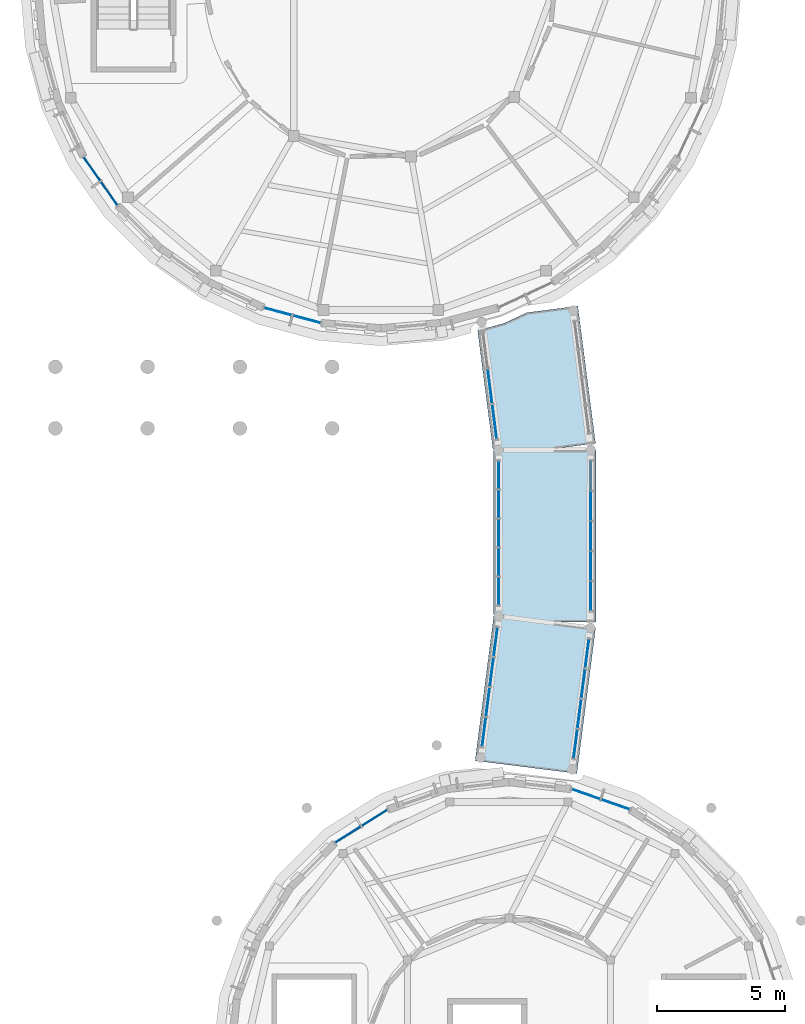
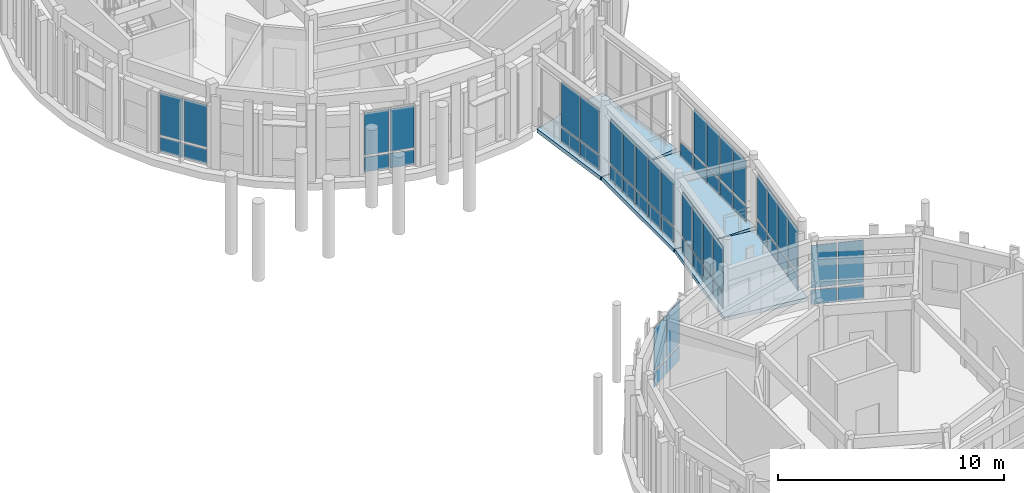
# One storey, part 36 of 80: 55 plates, 3 slabs, 9 elements without a shape of their own.
"""IFC4 building model written with IfcOpenShell, lengths in metres."""

import ifcopenshell
import ifcopenshell.guid

model = None  # the IFC model being written
_history = None  # IfcOwnerHistory: only IFC2X3 demands one
_inside = {}  # id of a spatial element -> (the spatial element, [elements in it])
_under = {}  # id of a project, library or spatial element -> (it, [spatial elements below it])
_declared = {}  # id of a project -> (the project, [libraries it declares])
_typed = {}  # id of a type object -> (the type object, [elements of that type])
_made_of = {}  # id of a material, layer set ... -> (it, [elements and type objects made of it])


def new_model(schema):
    """Start an empty IFC model of exactly this schema.

    Asked for "IFC4X3", IfcOpenShell would pick the latest addendum, in which some entities
    have other attributes; the version numbers below select the first issue.
    IFC2X3 requires an IfcOwnerHistory on every rooted entity: one is made here for all.
    """
    global model, _history
    if schema == "IFC4X3":
        model = ifcopenshell.file(schema_version=(4, 3, 0, 0))
    else:
        model = ifcopenshell.file(schema=schema)
    _inside.clear()
    _under.clear()
    _declared.clear()
    _typed.clear()
    _made_of.clear()
    _history = None
    if model.schema == "IFC2X3":
        org = make("IfcOrganization", Name="unknown")
        user = make(
            "IfcPersonAndOrganization",
            ThePerson=make("IfcPerson", FamilyName="unknown"),
            TheOrganization=org,
        )
        app = make(
            "IfcApplication",
            ApplicationDeveloper=org,
            Version="unknown",
            ApplicationFullName="unknown",
            ApplicationIdentifier="unknown",
        )
        _history = make(
            "IfcOwnerHistory",
            OwningUser=user,
            OwningApplication=app,
            ChangeAction="ADDED",
            CreationDate=0,
        )
    return model


def make(cls, **values):
    """One entity of the class cls with the attributes given. An attribute that is None is left unset."""
    return model.create_entity(
        cls, **{name: value for name, value in values.items() if value is not None}
    )


def rooted(cls, **values):
    """An entity with a GlobalId (a new one), such as an element, a storey or a relation."""
    return make(cls, GlobalId=ifcopenshell.guid.new(), OwnerHistory=_history, **values)


def si_unit(unit_type, name, prefix=None):
    """IfcSIUnit, for example si_unit("LENGTHUNIT", "METRE", prefix="MILLI")."""
    return make("IfcSIUnit", UnitType=unit_type, Prefix=prefix, Name=name)


def assignment(units):
    """IfcUnitAssignment: the units of a project."""
    return None if units is None else make("IfcUnitAssignment", Units=units)


def point(xyz):
    """IfcCartesianPoint."""
    return None if xyz is None else make("IfcCartesianPoint", Coordinates=xyz)


def direction(xyz):
    """IfcDirection."""
    return None if xyz is None else make("IfcDirection", DirectionRatios=xyz)


def frame(location, z_axis=None, x_axis=None):
    """IfcAxis2Placement3D, a coordinate frame: its origin and axes. An axis left out is left unset."""
    return make(
        "IfcAxis2Placement3D",
        Location=point(location),
        Axis=direction(z_axis),
        RefDirection=direction(x_axis),
    )


def frame_2d(location, x_axis=None):
    """IfcAxis2Placement2D, a coordinate frame in the plane: its origin and x axis."""
    return make(
        "IfcAxis2Placement2D", Location=point(location), RefDirection=direction(x_axis)
    )


def origin():
    """The frame at (0, 0, 0) with its axes left unset."""
    return frame((0.0, 0.0, 0.0))


def origin_2d():
    """The frame at (0, 0) in the plane with its x axis left unset."""
    return frame_2d((0.0, 0.0))


def place(relative_to, where):
    """IfcLocalPlacement: puts the frame where relative to a parent placement (None: the world)."""
    return make(
        "IfcLocalPlacement", PlacementRelTo=relative_to, RelativePlacement=where
    )


def context(
    kind, dimensions, precision=None, world=None, true_north=None, identifier=None
):
    """IfcGeometricRepresentationContext, for example the 3D "Model" context."""
    return make(
        "IfcGeometricRepresentationContext",
        ContextIdentifier=identifier,
        ContextType=kind,
        CoordinateSpaceDimension=dimensions,
        Precision=precision,
        WorldCoordinateSystem=world,
        TrueNorth=true_north,
    )


def subcontext(parent, identifier, kind, view, scale=None):
    """IfcGeometricRepresentationSubContext, for example "Body" below "Model"."""
    return make(
        "IfcGeometricRepresentationSubContext",
        ContextIdentifier=identifier,
        ContextType=kind,
        ParentContext=parent,
        TargetScale=scale,
        TargetView=view,
    )


def project(units=None, contexts=None):
    """IfcProject with its units and contexts."""
    return rooted(
        "IfcProject",
        Name="project",
        RepresentationContexts=contexts,
        UnitsInContext=assignment(units),
    )


def spatial(cls, under=None, at=None, **own):
    """A site, building, storey or space (cls), placed at a placement, below another one or the project."""
    s = rooted(cls, ObjectPlacement=at, **own)
    if under is not None:
        _under.setdefault(under.id(), (under, []))[1].append(s)
    return s


def polyline(points):
    """IfcPolyline through the points."""
    return make("IfcPolyline", Points=[point(p) for p in points])


def profile(cls, at=None, kind="AREA", **sizes):
    """A parametric profile (cls). Its sizes go by their IFC names, for example OverallWidth=200.0."""
    return make(cls, ProfileType=kind, Position=at, **sizes)


def rectangle(**sizes):
    """IfcRectangleProfileDef."""
    return profile("IfcRectangleProfileDef", **sizes)


def outline(outer, holes=None, kind="AREA"):
    """IfcArbitraryClosedProfileDef: a profile drawn as a closed curve; with holes, ...WithVoids."""
    if holes is None:
        return make("IfcArbitraryClosedProfileDef", ProfileType=kind, OuterCurve=outer)
    return make(
        "IfcArbitraryProfileDefWithVoids",
        ProfileType=kind,
        OuterCurve=outer,
        InnerCurves=holes,
    )


def extrude(swept, where, along, depth):
    """IfcExtrudedAreaSolid: the profile swept, set in the frame where, extruded along a direction by depth."""
    return make(
        "IfcExtrudedAreaSolid",
        SweptArea=swept,
        Position=where,
        ExtrudedDirection=direction(along),
        Depth=depth,
    )


def shape(context_of_items, identifier, shape_type, items):
    """IfcShapeRepresentation: the items that make up one representation, for example the "Body"."""
    return make(
        "IfcShapeRepresentation",
        ContextOfItems=context_of_items,
        RepresentationIdentifier=identifier,
        RepresentationType=shape_type,
        Items=items,
    )


def material(Name=None, Category=None):
    """IfcMaterial."""
    return make("IfcMaterial", Name=Name, Category=Category)


def layer(
    of_material, thickness, ventilated=None, Name=None, Category=None, Priority=None
):
    """IfcMaterialLayer: one layer of a wall or slab, of a material (None: an air gap)."""
    return make(
        "IfcMaterialLayer",
        Material=of_material,
        LayerThickness=thickness,
        IsVentilated=ventilated,
        Name=Name,
        Category=Category,
        Priority=Priority,
    )


def layer_set(layers, Name=None):
    """IfcMaterialLayerSet."""
    return make("IfcMaterialLayerSet", MaterialLayers=layers, LayerSetName=Name)


def made_of(thing, what):
    """Note that an element or type object is made of a material, layer set ...; save() writes the relation."""
    if what is not None:
        _made_of.setdefault(what.id(), (what, []))[1].append(thing)
    return thing


def type_object(cls, material=None, **own):
    """A type object (cls), such as IfcWallType, which elements share."""
    return made_of(rooted(cls, **own), material)


def element(
    cls,
    number,
    at=None,
    inside=None,
    cuts=None,
    type_object=None,
    material=None,
    context=None,
    identifier="Body",
    shape_type=None,
    held_by="IfcProductDefinitionShape",
    body=None,
    shapes=None,
    **own,
):
    """One element of the class cls, such as IfcWall. Its Tag is "e" and its number.

    at: its placement. inside: the storey or other place that contains it. cuts: it is an
    opening in that element (IfcRelVoidsElement). A single representation is given by context,
    identifier, shape_type and body (its items); several are given by shapes. held_by: the class
    of the entity that holds the representations. save() writes the other relations.
    """
    e = rooted(cls, Tag="e%d" % number, ObjectPlacement=at, **own)
    if body is not None:
        shapes = [shape(context, identifier, shape_type, body)]
    if shapes is not None:
        e.Representation = make(held_by, Representations=shapes)
    if inside is not None:
        _inside.setdefault(inside.id(), (inside, []))[1].append(e)
    if cuts is not None:
        rooted(
            "IfcRelVoidsElement", RelatingBuildingElement=cuts, RelatedOpeningElement=e
        )
    if type_object is not None:
        _typed.setdefault(type_object.id(), (type_object, []))[1].append(e)
    return made_of(e, material)


def aggregate(whole, parts):
    """IfcRelAggregates: a whole, such as a stair, and the parts it consists of."""
    return rooted("IfcRelAggregates", RelatingObject=whole, RelatedObjects=parts)


def save(model, path):
    """Write the relations noted so far, then the file.

    IfcRelAggregates (storeys below a building ...), IfcRelContainedInSpatialStructure (elements
    in a storey), IfcRelDefinesByType, IfcRelAssociatesMaterial and IfcRelDeclares: one each for
    every whole, place, type object, material and project.
    """
    for whole, parts in _under.values():
        aggregate(whole, parts)
    for where, things in _inside.values():
        rooted(
            "IfcRelContainedInSpatialStructure",
            RelatedElements=things,
            RelatingStructure=where,
        )
    for kind, things in _typed.values():
        rooted("IfcRelDefinesByType", RelatedObjects=things, RelatingType=kind)
    for what, things in _made_of.values():
        rooted("IfcRelAssociatesMaterial", RelatedObjects=things, RelatingMaterial=what)
    for by, libraries in _declared.values():
        rooted("IfcRelDeclares", RelatingContext=by, RelatedDefinitions=libraries)
    model.write(path)


model = new_model("IFC4")

# Units and contexts
model_context = context("Model", 3, precision=1e-05, world=origin(), true_north=direction((0.0, 1.0)))
body_context = subcontext(model_context, "Body", "Model", "MODEL_VIEW")
ifc_project = project(units=[si_unit("LENGTHUNIT", "METRE"), si_unit("AREAUNIT", "SQUARE_METRE"), si_unit("VOLUMEUNIT", "CUBIC_METRE"), si_unit("PLANEANGLEUNIT", "RADIAN"), si_unit("MASSUNIT", "GRAM", prefix="KILO")], contexts=[model_context])

# Site, building, storey
site_placement = place(None, origin())
site = spatial("IfcSite", under=ifc_project, at=site_placement, CompositionType="ELEMENT")
building_placement = place(site_placement, origin())
building = spatial("IfcBuilding", under=site, at=building_placement, Name="Aldenvaro Health Centre", CompositionType="ELEMENT")
storey_placement = place(building_placement, frame((0.0, 0.0, 4.550048828125)))
storey = spatial("IfcBuildingStorey", under=building, at=storey_placement, Name="L01", CompositionType="ELEMENT", Elevation=4.550048828125)

# Curtain wall, plates
ifc_material_1 = material(Name="Anodised Aluminium 6063-T6", Category="aluminium")
ifc_layer_1 = layer(ifc_material_1, 0.195068359375, Name="Anodised Aluminium 6063-T6", Category="aluminium")
ifc_layer_set_1 = layer_set([ifc_layer_1], Name="Anodised Aluminium 6063-T6")
curtain_wall_type_1 = type_object("IfcCurtainWallType", Name="CW-CLN-02", PredefinedType="NOTDEFINED", material=ifc_layer_set_1)
curtain_wall_1_placement = place(storey_placement, origin())
curtain_wall_1 = element("IfcCurtainWall", 1, at=curtain_wall_1_placement, inside=storey, type_object=curtain_wall_type_1, Name="D3 L01 curtain wall bay 19", PredefinedType="NOTDEFINED")
ifc_material_2 = material(Name="Low-E Double Glazing IGU", Category="glass")
ifc_layer_2 = layer(ifc_material_2, 0.028076171875, Name="Low-E Double Glazing IGU", Category="glass")
ifc_layer_set_2 = layer_set([ifc_layer_2], Name="Low-E Double Glazing IGU")
plate_type_1 = type_object("IfcPlateType", Name="CWP-IGU-28", PredefinedType="CURTAIN_PANEL", material=ifc_layer_set_2)
plate_1_placement = place(storey_placement, frame((17.220947265625, 66.346923828125, 0.9599609375), z_axis=(0.0, 0.0, 1.0), x_axis=(0.846684003256, 0.532096042675, 0.0)))
plate_1 = element("IfcPlate", 2, at=plate_1_placement, type_object=plate_type_1, Name="D3 L01 curtain wall bay 19 vision glazing 1", PredefinedType="CURTAIN_PANEL", context=body_context, shape_type="SweptSolid", body=[
    extrude(rectangle(XDim=1.15087890625, YDim=0.028076171875, at=origin_2d()), origin(), (0.0, 0.0, 1.0), 2.2939453125),
])
plate_2_placement = place(storey_placement, frame((18.25390625, 66.99609375, 0.9599609375), z_axis=(0.0, 0.0, 1.0), x_axis=(0.846684003256, 0.532096042675, 0.0)))
plate_2 = element("IfcPlate", 3, at=plate_2_placement, type_object=plate_type_1, Name="D3 L01 curtain wall bay 19 vision glazing 2", PredefinedType="CURTAIN_PANEL", context=body_context, shape_type="SweptSolid", body=[
    extrude(rectangle(XDim=1.15087890625, YDim=0.028076171875, at=origin_2d()), origin(), (0.0, 0.0, 1.0), 2.2939453125),
])

curtain_wall_2_placement = place(storey_placement, origin())
curtain_wall_2 = element("IfcCurtainWall", 4, at=curtain_wall_2_placement, inside=storey, type_object=curtain_wall_type_1, Name="D3 L01 curtain wall bay 23", PredefinedType="NOTDEFINED")
plate_3_placement = place(storey_placement, frame((26.5009765625, 67.925048828125, 0.9599609375), z_axis=(0.0, 0.0, 1.0), x_axis=(0.943909441385, -0.330204431323, 0.0)))
plate_3 = element("IfcPlate", 5, at=plate_3_placement, type_object=plate_type_1, Name="D3 L01 curtain wall bay 23 vision glazing 1", PredefinedType="CURTAIN_PANEL", context=body_context, shape_type="SweptSolid", body=[
    extrude(rectangle(XDim=1.14990234375, YDim=0.028076171875, at=origin_2d()), origin(), (0.0, 0.0, 1.0), 2.2939453125),
])
plate_4_placement = place(storey_placement, frame((27.653076171875, 67.52197265625, 0.9599609375), z_axis=(0.0, 0.0, 1.0), x_axis=(0.943909441385, -0.330204431323, 0.0)))
plate_4 = element("IfcPlate", 6, at=plate_4_placement, type_object=plate_type_1, Name="D3 L01 curtain wall bay 23 vision glazing 2", PredefinedType="CURTAIN_PANEL", context=body_context, shape_type="SweptSolid", body=[
    extrude(rectangle(XDim=1.14990234375, YDim=0.028076171875, at=origin_2d()), origin(), (0.0, 0.0, 1.0), 2.2939453125),
])

curtain_wall_3_placement = place(storey_placement, origin())
curtain_wall_3 = element("IfcCurtainWall", 7, at=curtain_wall_3_placement, inside=storey, type_object=curtain_wall_type_1, Name="D4 L01 curtain wall bay 11", PredefinedType="NOTDEFINED")
plate_5_placement = place(storey_placement, frame((15.60888671875, 86.455078125, 0.95947265625), z_axis=(0.0, 0.0, 1.0), x_axis=(-0.965978620089, 0.258621935517, 0.0)))
plate_5 = element("IfcPlate", 8, at=plate_5_placement, type_object=plate_type_1, Name="D4 L01 curtain wall bay 11 vision glazing 1", PredefinedType="CURTAIN_PANEL", context=body_context, shape_type="SweptSolid", body=[
    extrude(rectangle(XDim=1.097900390625, YDim=0.028076171875, at=origin_2d()), origin(), (0.0, 0.0, 1.0), 2.2890625),
])
plate_6_placement = place(storey_placement, frame((14.48095703125, 86.757080078125, 0.95947265625), z_axis=(0.0, 0.0, 1.0), x_axis=(-0.965978620089, 0.258621935517, 0.0)))
plate_6 = element("IfcPlate", 9, at=plate_6_placement, type_object=plate_type_1, Name="D4 L01 curtain wall bay 11 vision glazing 2", PredefinedType="CURTAIN_PANEL", context=body_context, shape_type="SweptSolid", body=[
    extrude(rectangle(XDim=1.097900390625, YDim=0.028076171875, at=origin_2d()), origin(), (0.0, 0.0, 1.0), 2.2890625),
])

curtain_wall_4_placement = place(storey_placement, origin())
curtain_wall_4 = element("IfcCurtainWall", 10, at=curtain_wall_4_placement, inside=storey, type_object=curtain_wall_type_1, Name="D4 L01 curtain wall bay 15", PredefinedType="NOTDEFINED")
plate_7_placement = place(storey_placement, frame((7.89990234375, 91.364990234375, 0.95947265625), z_axis=(0.0, 0.0, 1.0), x_axis=(-0.573720929857, 0.819050849853, 0.0)))
plate_7 = element("IfcPlate", 11, at=plate_7_placement, type_object=plate_type_1, Name="D4 L01 curtain wall bay 15 vision glazing 1", PredefinedType="CURTAIN_PANEL", context=body_context, shape_type="SweptSolid", body=[
    extrude(rectangle(XDim=1.097900390625, YDim=0.028076171875, at=origin_2d()), origin(), (0.0, 0.0, 1.0), 2.2890625),
])
plate_8_placement = place(storey_placement, frame((7.22998046875, 92.322021484375, 0.95947265625), z_axis=(0.0, 0.0, 1.0), x_axis=(-0.573720929857, 0.819050849853, 0.0)))
plate_8 = element("IfcPlate", 12, at=plate_8_placement, type_object=plate_type_1, Name="D4 L01 curtain wall bay 15 vision glazing 2", PredefinedType="CURTAIN_PANEL", context=body_context, shape_type="SweptSolid", body=[
    extrude(rectangle(XDim=1.097900390625, YDim=0.028076171875, at=origin_2d()), origin(), (0.0, 0.0, 1.0), 2.2890625),
])

ifc_layer_3 = layer(ifc_material_1, 0.2099609375, Name="Anodised Aluminium 6063-T6", Category="aluminium")
ifc_layer_set_3 = layer_set([ifc_layer_3], Name="Anodised Aluminium 6063-T6")
curtain_wall_type_2 = type_object("IfcCurtainWallType", Name="CW-BRG-03", PredefinedType="NOTDEFINED", material=ifc_layer_set_3)
curtain_wall_5_placement = place(storey_placement, origin())
curtain_wall_5 = element("IfcCurtainWall", 13, at=curtain_wall_5_placement, inside=storey, type_object=curtain_wall_type_2, Name="West North Curved Garden Walkway Arc 1 L01 glazed link wall L-1.1", PredefinedType="NOTDEFINED")
plate_9_placement = place(storey_placement, frame((22.52490234375, 70.35009765625, 0.9599609375), z_axis=(0.0, 0.0, 1.0), x_axis=(0.127857341647, 0.991792569133, 0.0)))
plate_9 = element("IfcPlate", 14, at=plate_9_placement, type_object=plate_type_1, Name="West North Curved Garden Walkway Arc 1 L01 glazed link wall L-1.1 vision glazing 1", PredefinedType="CURTAIN_PANEL", context=body_context, shape_type="SweptSolid", body=[
    extrude(rectangle(XDim=1.113037109375, YDim=0.028076171875, at=origin_2d()), origin(), (0.0, 0.0, 1.0), 2.389892578125),
])
plate_10_placement = place(storey_placement, frame((22.676025390625, 71.52294921875, 0.9599609375), z_axis=(0.0, 0.0, 1.0), x_axis=(0.127857341647, 0.991792569133, 0.0)))
plate_10 = element("IfcPlate", 15, at=plate_10_placement, type_object=plate_type_1, Name="West North Curved Garden Walkway Arc 1 L01 glazed link wall L-1.1 vision glazing 2", PredefinedType="CURTAIN_PANEL", context=body_context, shape_type="SweptSolid", body=[
    extrude(rectangle(XDim=1.113037109375, YDim=0.028076171875, at=origin_2d()), origin(), (0.0, 0.0, 1.0), 2.389892578125),
])
plate_11_placement = place(storey_placement, frame((22.826904296875, 72.696044921875, 0.9599609375), z_axis=(0.0, 0.0, 1.0), x_axis=(0.127857341647, 0.991792569133, 0.0)))
plate_11 = element("IfcPlate", 16, at=plate_11_placement, type_object=plate_type_1, Name="West North Curved Garden Walkway Arc 1 L01 glazed link wall L-1.1 vision glazing 3", PredefinedType="CURTAIN_PANEL", context=body_context, shape_type="SweptSolid", body=[
    extrude(rectangle(XDim=1.113037109375, YDim=0.028076171875, at=origin_2d()), origin(), (0.0, 0.0, 1.0), 2.389892578125),
])
plate_12_placement = place(storey_placement, frame((22.97802734375, 73.868896484375, 0.9599609375), z_axis=(0.0, 0.0, 1.0), x_axis=(0.127857341647, 0.991792569133, 0.0)))
plate_12 = element("IfcPlate", 17, at=plate_12_placement, type_object=plate_type_1, Name="West North Curved Garden Walkway Arc 1 L01 glazed link wall L-1.1 vision glazing 4", PredefinedType="CURTAIN_PANEL", context=body_context, shape_type="SweptSolid", body=[
    extrude(rectangle(XDim=1.113037109375, YDim=0.028076171875, at=origin_2d()), origin(), (0.0, 0.0, 1.0), 2.389892578125),
])

curtain_wall_6_placement = place(storey_placement, origin())
curtain_wall_6 = element("IfcCurtainWall", 18, at=curtain_wall_6_placement, inside=storey, type_object=curtain_wall_type_2, Name="West North Curved Garden Walkway Arc 1 L01 glazed link wall R-1.1", PredefinedType="NOTDEFINED")
plate_13_placement = place(storey_placement, frame((26.095947265625, 69.889892578125, 0.9599609375), z_axis=(0.0, 0.0, 1.0), x_axis=(0.127857341647, 0.991792569133, 0.0)))
plate_13 = element("IfcPlate", 19, at=plate_13_placement, type_object=plate_type_1, Name="West North Curved Garden Walkway Arc 1 L01 glazed link wall R-1.1 vision glazing 1", PredefinedType="CURTAIN_PANEL", context=body_context, shape_type="SweptSolid", body=[
    extrude(rectangle(XDim=1.113037109375, YDim=0.028076171875, at=origin_2d()), origin(), (0.0, 0.0, 1.0), 2.389892578125),
])
plate_14_placement = place(storey_placement, frame((26.2470703125, 71.06298828125, 0.9599609375), z_axis=(0.0, 0.0, 1.0), x_axis=(0.127857341647, 0.991792569133, 0.0)))
plate_14 = element("IfcPlate", 20, at=plate_14_placement, type_object=plate_type_1, Name="West North Curved Garden Walkway Arc 1 L01 glazed link wall R-1.1 vision glazing 2", PredefinedType="CURTAIN_PANEL", context=body_context, shape_type="SweptSolid", body=[
    extrude(rectangle(XDim=1.113037109375, YDim=0.028076171875, at=origin_2d()), origin(), (0.0, 0.0, 1.0), 2.389892578125),
])
plate_15_placement = place(storey_placement, frame((26.39794921875, 72.236083984375, 0.9599609375), z_axis=(0.0, 0.0, 1.0), x_axis=(0.127857341647, 0.991792569133, 0.0)))
plate_15 = element("IfcPlate", 21, at=plate_15_placement, type_object=plate_type_1, Name="West North Curved Garden Walkway Arc 1 L01 glazed link wall R-1.1 vision glazing 3", PredefinedType="CURTAIN_PANEL", context=body_context, shape_type="SweptSolid", body=[
    extrude(rectangle(XDim=1.113037109375, YDim=0.028076171875, at=origin_2d()), origin(), (0.0, 0.0, 1.0), 2.389892578125),
])
plate_16_placement = place(storey_placement, frame((26.549072265625, 73.408935546875, 0.9599609375), z_axis=(0.0, 0.0, 1.0), x_axis=(0.127857341647, 0.991792569133, 0.0)))
plate_16 = element("IfcPlate", 22, at=plate_16_placement, type_object=plate_type_1, Name="West North Curved Garden Walkway Arc 1 L01 glazed link wall R-1.1 vision glazing 4", PredefinedType="CURTAIN_PANEL", context=body_context, shape_type="SweptSolid", body=[
    extrude(rectangle(XDim=1.113037109375, YDim=0.028076171875, at=origin_2d()), origin(), (0.0, 0.0, 1.0), 2.389892578125),
])

curtain_wall_7_placement = place(storey_placement, origin())
curtain_wall_7 = element("IfcCurtainWall", 23, at=curtain_wall_7_placement, inside=storey, type_object=curtain_wall_type_2, Name="West North Curved Garden Walkway Arc 2 L01 glazed link wall L-1.1", PredefinedType="NOTDEFINED")
plate_17_placement = place(storey_placement, frame((23.093017578125, 75.846923828125, 0.9599609375), z_axis=(0.0, 0.0, 1.0), x_axis=(0.0, 1.0, 0.0)))
plate_17 = element("IfcPlate", 24, at=plate_17_placement, type_object=plate_type_1, Name="West North Curved Garden Walkway Arc 2 L01 glazed link wall L-1.1 vision glazing 1", PredefinedType="CURTAIN_PANEL", context=body_context, shape_type="SweptSolid", body=[
    extrude(rectangle(XDim=1.06103515625, YDim=0.028076171875, at=origin_2d()), origin(), (0.0, 0.0, 1.0), 2.389892578125),
])
plate_18_placement = place(storey_placement, frame((23.093017578125, 76.97802734375, 0.9599609375), z_axis=(0.0, 0.0, 1.0), x_axis=(0.0, 1.0, 0.0)))
plate_18 = element("IfcPlate", 25, at=plate_18_placement, type_object=plate_type_1, Name="West North Curved Garden Walkway Arc 2 L01 glazed link wall L-1.1 vision glazing 2", PredefinedType="CURTAIN_PANEL", context=body_context, shape_type="SweptSolid", body=[
    extrude(rectangle(XDim=1.06103515625, YDim=0.028076171875, at=origin_2d()), origin(), (0.0, 0.0, 1.0), 2.389892578125),
])
plate_19_placement = place(storey_placement, frame((23.093017578125, 78.10888671875, 0.9599609375), z_axis=(0.0, 0.0, 1.0), x_axis=(0.0, 1.0, 0.0)))
plate_19 = element("IfcPlate", 26, at=plate_19_placement, type_object=plate_type_1, Name="West North Curved Garden Walkway Arc 2 L01 glazed link wall L-1.1 vision glazing 3", PredefinedType="CURTAIN_PANEL", context=body_context, shape_type="SweptSolid", body=[
    extrude(rectangle(XDim=1.06103515625, YDim=0.028076171875, at=origin_2d()), origin(), (0.0, 0.0, 1.0), 2.389892578125),
])
plate_20_placement = place(storey_placement, frame((23.093017578125, 79.239990234375, 0.9599609375), z_axis=(0.0, 0.0, 1.0), x_axis=(0.0, 1.0, 0.0)))
plate_20 = element("IfcPlate", 27, at=plate_20_placement, type_object=plate_type_1, Name="West North Curved Garden Walkway Arc 2 L01 glazed link wall L-1.1 vision glazing 4", PredefinedType="CURTAIN_PANEL", context=body_context, shape_type="SweptSolid", body=[
    extrude(rectangle(XDim=1.06103515625, YDim=0.028076171875, at=origin_2d()), origin(), (0.0, 0.0, 1.0), 2.389892578125),
])
plate_21_placement = place(storey_placement, frame((23.093017578125, 80.37109375, 0.9599609375), z_axis=(0.0, 0.0, 1.0), x_axis=(0.0, 1.0, 0.0)))
plate_21 = element("IfcPlate", 28, at=plate_21_placement, type_object=plate_type_1, Name="West North Curved Garden Walkway Arc 2 L01 glazed link wall L-1.1 vision glazing 5", PredefinedType="CURTAIN_PANEL", context=body_context, shape_type="SweptSolid", body=[
    extrude(rectangle(XDim=1.06103515625, YDim=0.028076171875, at=origin_2d()), origin(), (0.0, 0.0, 1.0), 2.389892578125),
])

curtain_wall_8_placement = place(storey_placement, origin())
curtain_wall_8 = element("IfcCurtainWall", 29, at=curtain_wall_8_placement, inside=storey, type_object=curtain_wall_type_2, Name="West North Curved Garden Walkway Arc 2 L01 glazed link wall R-1.1", PredefinedType="NOTDEFINED")
plate_22_placement = place(storey_placement, frame((26.693115234375, 75.64990234375, 0.9599609375), z_axis=(0.0, 0.0, 1.0), x_axis=(0.0, 1.0, 0.0)))
plate_22 = element("IfcPlate", 30, at=plate_22_placement, type_object=plate_type_1, Name="West North Curved Garden Walkway Arc 2 L01 glazed link wall R-1.1 vision glazing 1", PredefinedType="CURTAIN_PANEL", context=body_context, shape_type="SweptSolid", body=[
    extrude(rectangle(XDim=1.10498046875, YDim=0.028076171875, at=origin_2d()), origin(), (0.0, 0.0, 1.0), 2.389892578125),
])
plate_23_placement = place(storey_placement, frame((26.693115234375, 76.824951171875, 0.9599609375), z_axis=(0.0, 0.0, 1.0), x_axis=(0.0, 1.0, 0.0)))
plate_23 = element("IfcPlate", 31, at=plate_23_placement, type_object=plate_type_1, Name="West North Curved Garden Walkway Arc 2 L01 glazed link wall R-1.1 vision glazing 2", PredefinedType="CURTAIN_PANEL", context=body_context, shape_type="SweptSolid", body=[
    extrude(rectangle(XDim=1.10498046875, YDim=0.028076171875, at=origin_2d()), origin(), (0.0, 0.0, 1.0), 2.389892578125),
])
plate_24_placement = place(storey_placement, frame((26.693115234375, 78.0, 0.9599609375), z_axis=(0.0, 0.0, 1.0), x_axis=(0.0, 1.0, 0.0)))
plate_24 = element("IfcPlate", 32, at=plate_24_placement, type_object=plate_type_1, Name="West North Curved Garden Walkway Arc 2 L01 glazed link wall R-1.1 vision glazing 3", PredefinedType="CURTAIN_PANEL", context=body_context, shape_type="SweptSolid", body=[
    extrude(rectangle(XDim=1.10498046875, YDim=0.028076171875, at=origin_2d()), origin(), (0.0, 0.0, 1.0), 2.389892578125),
])
plate_25_placement = place(storey_placement, frame((26.693115234375, 79.175048828125, 0.9599609375), z_axis=(0.0, 0.0, 1.0), x_axis=(0.0, 1.0, 0.0)))
plate_25 = element("IfcPlate", 33, at=plate_25_placement, type_object=plate_type_1, Name="West North Curved Garden Walkway Arc 2 L01 glazed link wall R-1.1 vision glazing 4", PredefinedType="CURTAIN_PANEL", context=body_context, shape_type="SweptSolid", body=[
    extrude(rectangle(XDim=1.10498046875, YDim=0.028076171875, at=origin_2d()), origin(), (0.0, 0.0, 1.0), 2.389892578125),
])

curtain_wall_9_placement = place(storey_placement, origin())
curtain_wall_9 = element("IfcCurtainWall", 34, at=curtain_wall_9_placement, inside=storey, type_object=curtain_wall_type_2, Name="West North Curved Garden Walkway Arc 3 L01 glazed link wall L-1.1", PredefinedType="NOTDEFINED")
plate_26_placement = place(storey_placement, frame((22.93701171875, 82.455078125, 0.9599609375), z_axis=(0.0, 0.0, 1.0), x_axis=(-0.127669024913, 0.991816827886, 0.0)))
plate_26 = element("IfcPlate", 35, at=plate_26_placement, type_object=plate_type_1, Name="West North Curved Garden Walkway Arc 3 L01 glazed link wall L-1.1 vision glazing 1", PredefinedType="CURTAIN_PANEL", context=body_context, shape_type="SweptSolid", body=[
    extrude(rectangle(XDim=1.3291015625, YDim=0.028076171875, at=origin_2d()), origin(), (0.0, 0.0, 1.0), 2.389892578125),
])
plate_27_placement = place(storey_placement, frame((22.758056640625, 83.843017578125, 0.9599609375), z_axis=(0.0, 0.0, 1.0), x_axis=(-0.127669024913, 0.991816827886, 0.0)))
plate_27 = element("IfcPlate", 36, at=plate_27_placement, type_object=plate_type_1, Name="West North Curved Garden Walkway Arc 3 L01 glazed link wall L-1.1 vision glazing 2", PredefinedType="CURTAIN_PANEL", context=body_context, shape_type="SweptSolid", body=[
    extrude(rectangle(XDim=1.3291015625, YDim=0.028076171875, at=origin_2d()), origin(), (0.0, 0.0, 1.0), 2.389892578125),
])

# Plate
ifc_material_3 = material(Name="Insulated Aluminium Spandrel", Category="aluminium")
ifc_layer_4 = layer(ifc_material_3, 0.035888671875, Name="Insulated Aluminium Spandrel", Category="aluminium")
ifc_layer_set_4 = layer_set([ifc_layer_4], Name="Insulated Aluminium Spandrel")
plate_type_2 = type_object("IfcPlateType", Name="CWP-SPN-36", PredefinedType="CURTAIN_PANEL", material=ifc_layer_set_4)
plate_28_placement = place(storey_placement, frame((17.220947265625, 66.346923828125, 0.06005859375), z_axis=(0.0, 0.0, 1.0), x_axis=(0.846684003256, 0.532096042675, 0.0)))
plate_28 = element("IfcPlate", 37, at=plate_28_placement, type_object=plate_type_2, Name="D3 L01 curtain wall bay 19 spandrel panel 1", PredefinedType="CURTAIN_PANEL", context=body_context, shape_type="SweptSolid", body=[
    extrude(rectangle(XDim=1.15087890625, YDim=0.035888671875, at=origin_2d()), origin(), (0.0, 0.0, 1.0), 0.780029296875),
])

plate_29_placement = place(storey_placement, frame((18.25390625, 66.99609375, 0.06005859375), z_axis=(0.0, 0.0, 1.0), x_axis=(0.846684003256, 0.532096042675, 0.0)))
plate_29 = element("IfcPlate", 38, at=plate_29_placement, type_object=plate_type_2, Name="D3 L01 curtain wall bay 19 spandrel panel 2", PredefinedType="CURTAIN_PANEL", context=body_context, shape_type="SweptSolid", body=[
    extrude(rectangle(XDim=1.15087890625, YDim=0.035888671875, at=origin_2d()), origin(), (0.0, 0.0, 1.0), 0.780029296875),
])

aggregate(curtain_wall_1, [plate_28, plate_1, plate_29, plate_2])

plate_30_placement = place(storey_placement, frame((26.5009765625, 67.925048828125, 0.06005859375), z_axis=(0.0, 0.0, 1.0), x_axis=(0.943909441385, -0.330204431323, 0.0)))
plate_30 = element("IfcPlate", 39, at=plate_30_placement, type_object=plate_type_2, Name="D3 L01 curtain wall bay 23 spandrel panel 1", PredefinedType="CURTAIN_PANEL", context=body_context, shape_type="SweptSolid", body=[
    extrude(rectangle(XDim=1.14990234375, YDim=0.035888671875, at=origin_2d()), origin(), (0.0, 0.0, 1.0), 0.780029296875),
])

plate_31_placement = place(storey_placement, frame((27.653076171875, 67.52197265625, 0.06005859375), z_axis=(0.0, 0.0, 1.0), x_axis=(0.943909441385, -0.330204431323, 0.0)))
plate_31 = element("IfcPlate", 40, at=plate_31_placement, type_object=plate_type_2, Name="D3 L01 curtain wall bay 23 spandrel panel 2", PredefinedType="CURTAIN_PANEL", context=body_context, shape_type="SweptSolid", body=[
    extrude(rectangle(XDim=1.14990234375, YDim=0.035888671875, at=origin_2d()), origin(), (0.0, 0.0, 1.0), 0.780029296875),
])

aggregate(curtain_wall_2, [plate_30, plate_3, plate_31, plate_4])

plate_32_placement = place(storey_placement, frame((15.60888671875, 86.455078125, 0.06005859375), z_axis=(0.0, 0.0, 1.0), x_axis=(-0.965978620089, 0.258621935517, 0.0)))
plate_32 = element("IfcPlate", 41, at=plate_32_placement, type_object=plate_type_2, Name="D4 L01 curtain wall bay 11 spandrel panel 1", PredefinedType="CURTAIN_PANEL", context=body_context, shape_type="SweptSolid", body=[
    extrude(rectangle(XDim=1.097900390625, YDim=0.035888671875, at=origin_2d()), origin(), (0.0, 0.0, 1.0), 0.780029296875),
])

plate_33_placement = place(storey_placement, frame((14.48095703125, 86.757080078125, 0.06005859375), z_axis=(0.0, 0.0, 1.0), x_axis=(-0.965978620089, 0.258621935517, 0.0)))
plate_33 = element("IfcPlate", 42, at=plate_33_placement, type_object=plate_type_2, Name="D4 L01 curtain wall bay 11 spandrel panel 2", PredefinedType="CURTAIN_PANEL", context=body_context, shape_type="SweptSolid", body=[
    extrude(rectangle(XDim=1.097900390625, YDim=0.035888671875, at=origin_2d()), origin(), (0.0, 0.0, 1.0), 0.780029296875),
])

aggregate(curtain_wall_3, [plate_32, plate_5, plate_33, plate_6])

plate_34_placement = place(storey_placement, frame((7.89990234375, 91.364990234375, 0.06005859375), z_axis=(0.0, 0.0, 1.0), x_axis=(-0.573720929857, 0.819050849853, 0.0)))
plate_34 = element("IfcPlate", 43, at=plate_34_placement, type_object=plate_type_2, Name="D4 L01 curtain wall bay 15 spandrel panel 1", PredefinedType="CURTAIN_PANEL", context=body_context, shape_type="SweptSolid", body=[
    extrude(rectangle(XDim=1.097900390625, YDim=0.035888671875, at=origin_2d()), origin(), (0.0, 0.0, 1.0), 0.780029296875),
])

plate_35_placement = place(storey_placement, frame((7.22998046875, 92.322021484375, 0.06005859375), z_axis=(0.0, 0.0, 1.0), x_axis=(-0.573720929857, 0.819050849853, 0.0)))
plate_35 = element("IfcPlate", 44, at=plate_35_placement, type_object=plate_type_2, Name="D4 L01 curtain wall bay 15 spandrel panel 2", PredefinedType="CURTAIN_PANEL", context=body_context, shape_type="SweptSolid", body=[
    extrude(rectangle(XDim=1.097900390625, YDim=0.035888671875, at=origin_2d()), origin(), (0.0, 0.0, 1.0), 0.780029296875),
])

aggregate(curtain_wall_4, [plate_34, plate_7, plate_35, plate_8])

plate_36_placement = place(storey_placement, frame((22.52490234375, 70.35009765625, 0.06005859375), z_axis=(0.0, 0.0, 1.0), x_axis=(0.127857341647, 0.991792569133, 0.0)))
plate_36 = element("IfcPlate", 45, at=plate_36_placement, type_object=plate_type_2, Name="West North Curved Garden Walkway Arc 1 L01 glazed link wall L-1.1 spandrel panel 1", PredefinedType="CURTAIN_PANEL", context=body_context, shape_type="SweptSolid", body=[
    extrude(rectangle(XDim=1.113037109375, YDim=0.035888671875, at=origin_2d()), origin(), (0.0, 0.0, 1.0), 0.780029296875),
])

plate_37_placement = place(storey_placement, frame((22.676025390625, 71.52294921875, 0.06005859375), z_axis=(0.0, 0.0, 1.0), x_axis=(0.127857341647, 0.991792569133, 0.0)))
plate_37 = element("IfcPlate", 46, at=plate_37_placement, type_object=plate_type_2, Name="West North Curved Garden Walkway Arc 1 L01 glazed link wall L-1.1 spandrel panel 2", PredefinedType="CURTAIN_PANEL", context=body_context, shape_type="SweptSolid", body=[
    extrude(rectangle(XDim=1.113037109375, YDim=0.035888671875, at=origin_2d()), origin(), (0.0, 0.0, 1.0), 0.780029296875),
])

plate_38_placement = place(storey_placement, frame((22.826904296875, 72.696044921875, 0.06005859375), z_axis=(0.0, 0.0, 1.0), x_axis=(0.127857341647, 0.991792569133, 0.0)))
plate_38 = element("IfcPlate", 47, at=plate_38_placement, type_object=plate_type_2, Name="West North Curved Garden Walkway Arc 1 L01 glazed link wall L-1.1 spandrel panel 3", PredefinedType="CURTAIN_PANEL", context=body_context, shape_type="SweptSolid", body=[
    extrude(rectangle(XDim=1.113037109375, YDim=0.035888671875, at=origin_2d()), origin(), (0.0, 0.0, 1.0), 0.780029296875),
])

plate_39_placement = place(storey_placement, frame((22.97802734375, 73.868896484375, 0.06005859375), z_axis=(0.0, 0.0, 1.0), x_axis=(0.127857341647, 0.991792569133, 0.0)))
plate_39 = element("IfcPlate", 48, at=plate_39_placement, type_object=plate_type_2, Name="West North Curved Garden Walkway Arc 1 L01 glazed link wall L-1.1 spandrel panel 4", PredefinedType="CURTAIN_PANEL", context=body_context, shape_type="SweptSolid", body=[
    extrude(rectangle(XDim=1.113037109375, YDim=0.035888671875, at=origin_2d()), origin(), (0.0, 0.0, 1.0), 0.780029296875),
])

aggregate(curtain_wall_5, [plate_36, plate_9, plate_37, plate_10, plate_38, plate_11, plate_39, plate_12])

plate_40_placement = place(storey_placement, frame((26.095947265625, 69.889892578125, 0.06005859375), z_axis=(0.0, 0.0, 1.0), x_axis=(0.127857341647, 0.991792569133, 0.0)))
plate_40 = element("IfcPlate", 49, at=plate_40_placement, type_object=plate_type_2, Name="West North Curved Garden Walkway Arc 1 L01 glazed link wall R-1.1 spandrel panel 1", PredefinedType="CURTAIN_PANEL", context=body_context, shape_type="SweptSolid", body=[
    extrude(rectangle(XDim=1.113037109375, YDim=0.035888671875, at=origin_2d()), origin(), (0.0, 0.0, 1.0), 0.780029296875),
])

plate_41_placement = place(storey_placement, frame((26.2470703125, 71.06298828125, 0.06005859375), z_axis=(0.0, 0.0, 1.0), x_axis=(0.127857341647, 0.991792569133, 0.0)))
plate_41 = element("IfcPlate", 50, at=plate_41_placement, type_object=plate_type_2, Name="West North Curved Garden Walkway Arc 1 L01 glazed link wall R-1.1 spandrel panel 2", PredefinedType="CURTAIN_PANEL", context=body_context, shape_type="SweptSolid", body=[
    extrude(rectangle(XDim=1.113037109375, YDim=0.035888671875, at=origin_2d()), origin(), (0.0, 0.0, 1.0), 0.780029296875),
])

plate_42_placement = place(storey_placement, frame((26.39794921875, 72.236083984375, 0.06005859375), z_axis=(0.0, 0.0, 1.0), x_axis=(0.127857341647, 0.991792569133, 0.0)))
plate_42 = element("IfcPlate", 51, at=plate_42_placement, type_object=plate_type_2, Name="West North Curved Garden Walkway Arc 1 L01 glazed link wall R-1.1 spandrel panel 3", PredefinedType="CURTAIN_PANEL", context=body_context, shape_type="SweptSolid", body=[
    extrude(rectangle(XDim=1.113037109375, YDim=0.035888671875, at=origin_2d()), origin(), (0.0, 0.0, 1.0), 0.780029296875),
])

plate_43_placement = place(storey_placement, frame((26.549072265625, 73.408935546875, 0.06005859375), z_axis=(0.0, 0.0, 1.0), x_axis=(0.127857341647, 0.991792569133, 0.0)))
plate_43 = element("IfcPlate", 52, at=plate_43_placement, type_object=plate_type_2, Name="West North Curved Garden Walkway Arc 1 L01 glazed link wall R-1.1 spandrel panel 4", PredefinedType="CURTAIN_PANEL", context=body_context, shape_type="SweptSolid", body=[
    extrude(rectangle(XDim=1.113037109375, YDim=0.035888671875, at=origin_2d()), origin(), (0.0, 0.0, 1.0), 0.780029296875),
])

aggregate(curtain_wall_6, [plate_40, plate_13, plate_41, plate_14, plate_42, plate_15, plate_43, plate_16])

plate_44_placement = place(storey_placement, frame((23.093017578125, 75.846923828125, 0.06005859375), z_axis=(0.0, 0.0, 1.0), x_axis=(0.0, 1.0, 0.0)))
plate_44 = element("IfcPlate", 53, at=plate_44_placement, type_object=plate_type_2, Name="West North Curved Garden Walkway Arc 2 L01 glazed link wall L-1.1 spandrel panel 1", PredefinedType="CURTAIN_PANEL", context=body_context, shape_type="SweptSolid", body=[
    extrude(rectangle(XDim=1.06103515625, YDim=0.035888671875, at=origin_2d()), origin(), (0.0, 0.0, 1.0), 0.780029296875),
])

plate_45_placement = place(storey_placement, frame((23.093017578125, 76.97802734375, 0.06005859375), z_axis=(0.0, 0.0, 1.0), x_axis=(0.0, 1.0, 0.0)))
plate_45 = element("IfcPlate", 54, at=plate_45_placement, type_object=plate_type_2, Name="West North Curved Garden Walkway Arc 2 L01 glazed link wall L-1.1 spandrel panel 2", PredefinedType="CURTAIN_PANEL", context=body_context, shape_type="SweptSolid", body=[
    extrude(rectangle(XDim=1.06103515625, YDim=0.035888671875, at=origin_2d()), origin(), (0.0, 0.0, 1.0), 0.780029296875),
])

plate_46_placement = place(storey_placement, frame((23.093017578125, 78.10888671875, 0.06005859375), z_axis=(0.0, 0.0, 1.0), x_axis=(0.0, 1.0, 0.0)))
plate_46 = element("IfcPlate", 55, at=plate_46_placement, type_object=plate_type_2, Name="West North Curved Garden Walkway Arc 2 L01 glazed link wall L-1.1 spandrel panel 3", PredefinedType="CURTAIN_PANEL", context=body_context, shape_type="SweptSolid", body=[
    extrude(rectangle(XDim=1.06103515625, YDim=0.035888671875, at=origin_2d()), origin(), (0.0, 0.0, 1.0), 0.780029296875),
])

plate_47_placement = place(storey_placement, frame((23.093017578125, 79.239990234375, 0.06005859375), z_axis=(0.0, 0.0, 1.0), x_axis=(0.0, 1.0, 0.0)))
plate_47 = element("IfcPlate", 56, at=plate_47_placement, type_object=plate_type_2, Name="West North Curved Garden Walkway Arc 2 L01 glazed link wall L-1.1 spandrel panel 4", PredefinedType="CURTAIN_PANEL", context=body_context, shape_type="SweptSolid", body=[
    extrude(rectangle(XDim=1.06103515625, YDim=0.035888671875, at=origin_2d()), origin(), (0.0, 0.0, 1.0), 0.780029296875),
])

plate_48_placement = place(storey_placement, frame((23.093017578125, 80.37109375, 0.06005859375), z_axis=(0.0, 0.0, 1.0), x_axis=(0.0, 1.0, 0.0)))
plate_48 = element("IfcPlate", 57, at=plate_48_placement, type_object=plate_type_2, Name="West North Curved Garden Walkway Arc 2 L01 glazed link wall L-1.1 spandrel panel 5", PredefinedType="CURTAIN_PANEL", context=body_context, shape_type="SweptSolid", body=[
    extrude(rectangle(XDim=1.06103515625, YDim=0.035888671875, at=origin_2d()), origin(), (0.0, 0.0, 1.0), 0.780029296875),
])

aggregate(curtain_wall_7, [plate_44, plate_17, plate_45, plate_18, plate_46, plate_19, plate_47, plate_20, plate_48, plate_21])

plate_49_placement = place(storey_placement, frame((26.693115234375, 75.64990234375, 0.06005859375), z_axis=(0.0, 0.0, 1.0), x_axis=(0.0, 1.0, 0.0)))
plate_49 = element("IfcPlate", 58, at=plate_49_placement, type_object=plate_type_2, Name="West North Curved Garden Walkway Arc 2 L01 glazed link wall R-1.1 spandrel panel 1", PredefinedType="CURTAIN_PANEL", context=body_context, shape_type="SweptSolid", body=[
    extrude(rectangle(XDim=1.10498046875, YDim=0.035888671875, at=origin_2d()), origin(), (0.0, 0.0, 1.0), 0.780029296875),
])

plate_50_placement = place(storey_placement, frame((26.693115234375, 76.824951171875, 0.06005859375), z_axis=(0.0, 0.0, 1.0), x_axis=(0.0, 1.0, 0.0)))
plate_50 = element("IfcPlate", 59, at=plate_50_placement, type_object=plate_type_2, Name="West North Curved Garden Walkway Arc 2 L01 glazed link wall R-1.1 spandrel panel 2", PredefinedType="CURTAIN_PANEL", context=body_context, shape_type="SweptSolid", body=[
    extrude(rectangle(XDim=1.10498046875, YDim=0.035888671875, at=origin_2d()), origin(), (0.0, 0.0, 1.0), 0.780029296875),
])

plate_51_placement = place(storey_placement, frame((26.693115234375, 78.0, 0.06005859375), z_axis=(0.0, 0.0, 1.0), x_axis=(0.0, 1.0, 0.0)))
plate_51 = element("IfcPlate", 60, at=plate_51_placement, type_object=plate_type_2, Name="West North Curved Garden Walkway Arc 2 L01 glazed link wall R-1.1 spandrel panel 3", PredefinedType="CURTAIN_PANEL", context=body_context, shape_type="SweptSolid", body=[
    extrude(rectangle(XDim=1.10498046875, YDim=0.035888671875, at=origin_2d()), origin(), (0.0, 0.0, 1.0), 0.780029296875),
])

plate_52_placement = place(storey_placement, frame((26.693115234375, 79.175048828125, 0.06005859375), z_axis=(0.0, 0.0, 1.0), x_axis=(0.0, 1.0, 0.0)))
plate_52 = element("IfcPlate", 61, at=plate_52_placement, type_object=plate_type_2, Name="West North Curved Garden Walkway Arc 2 L01 glazed link wall R-1.1 spandrel panel 4", PredefinedType="CURTAIN_PANEL", context=body_context, shape_type="SweptSolid", body=[
    extrude(rectangle(XDim=1.10498046875, YDim=0.035888671875, at=origin_2d()), origin(), (0.0, 0.0, 1.0), 0.780029296875),
])

plate_53_placement = place(storey_placement, frame((26.693115234375, 80.35009765625, 0.06005859375), z_axis=(0.0, 0.0, 1.0), x_axis=(0.0, 1.0, 0.0)))
plate_53 = element("IfcPlate", 62, at=plate_53_placement, type_object=plate_type_2, Name="West North Curved Garden Walkway Arc 2 L01 glazed link wall R-1.1 spandrel panel 5", PredefinedType="CURTAIN_PANEL", context=body_context, shape_type="SweptSolid", body=[
    extrude(rectangle(XDim=1.10498046875, YDim=0.035888671875, at=origin_2d()), origin(), (0.0, 0.0, 1.0), 0.780029296875),
])

aggregate(curtain_wall_8, [plate_49, plate_22, plate_50, plate_23, plate_51, plate_24, plate_52, plate_25, plate_53])

plate_54_placement = place(storey_placement, frame((22.93701171875, 82.455078125, 0.06005859375), z_axis=(0.0, 0.0, 1.0), x_axis=(-0.127669024913, 0.991816827886, 0.0)))
plate_54 = element("IfcPlate", 63, at=plate_54_placement, type_object=plate_type_2, Name="West North Curved Garden Walkway Arc 3 L01 glazed link wall L-1.1 spandrel panel 1", PredefinedType="CURTAIN_PANEL", context=body_context, shape_type="SweptSolid", body=[
    extrude(rectangle(XDim=1.3291015625, YDim=0.035888671875, at=origin_2d()), origin(), (0.0, 0.0, 1.0), 0.780029296875),
])

plate_55_placement = place(storey_placement, frame((22.758056640625, 83.843017578125, 0.06005859375), z_axis=(0.0, 0.0, 1.0), x_axis=(-0.127669024913, 0.991816827886, 0.0)))
plate_55 = element("IfcPlate", 64, at=plate_55_placement, type_object=plate_type_2, Name="West North Curved Garden Walkway Arc 3 L01 glazed link wall L-1.1 spandrel panel 2", PredefinedType="CURTAIN_PANEL", context=body_context, shape_type="SweptSolid", body=[
    extrude(rectangle(XDim=1.3291015625, YDim=0.035888671875, at=origin_2d()), origin(), (0.0, 0.0, 1.0), 0.780029296875),
])

aggregate(curtain_wall_9, [plate_54, plate_26, plate_55, plate_27])

# Slabs
ifc_material_4 = material(Name="Cross-laminated timber CLT E1", Category="wood")
ifc_layer_5 = layer(ifc_material_4, 0.205078125, Name="Cross-laminated timber CLT E1", Category="wood")
ifc_layer_set_5 = layer_set([ifc_layer_5], Name="Cross-laminated timber CLT E1")
slab_type = type_object("IfcSlabType", Name="SLB-CLT-205", PredefinedType="FLOOR", material=ifc_layer_set_5)
slab_1_placement = place(storey_placement, frame((0.0, 0.0, -0.205078125)))
element("IfcSlab", 65, at=slab_1_placement, inside=storey, type_object=slab_type, Name="West North Curved Garden Walkway Arc 1 L01 deck slab", PredefinedType="FLOOR", context=body_context, shape_type="SweptSolid", body=[
    extrude(outline(polyline([(22.178955078125, 69.23095703125), (22.908935546875, 74.89892578125), (26.876953125, 74.386962890625), (26.14794921875, 68.73291015625), (22.178955078125, 69.23095703125)])), origin(), (0.0, 0.0, 1.0), 0.205078125),
])
slab_2_placement = place(storey_placement, frame((0.0, 0.0, -0.205078125)))
element("IfcSlab", 66, at=slab_2_placement, inside=storey, type_object=slab_type, Name="West North Curved Garden Walkway Arc 2 L01 deck slab", PredefinedType="FLOOR", context=body_context, shape_type="SweptSolid", body=[
    extrude(outline(polyline([(22.89306640625, 81.35693359375), (26.89306640625, 81.35693359375), (26.89306640625, 74.64306640625), (25.2060546875, 74.64306640625), (22.89306640625, 74.94091796875), (22.89306640625, 81.35693359375)])), origin(), (0.0, 0.0, 1.0), 0.205078125),
])
slab_3_placement = place(storey_placement, frame((0.0, 0.0, -0.205078125)))
element("IfcSlab", 67, at=slab_3_placement, inside=storey, type_object=slab_type, Name="West North Curved Garden Walkway Arc 3 L01 deck slab", PredefinedType="FLOOR", context=body_context, shape_type="SweptSolid", body=[
    extrude(outline(polyline([(26.18603515625, 86.970947265625), (26.876953125, 81.613037109375), (25.202880859375, 81.39697265625), (22.87109375, 81.39697265625), (22.27587890625, 86.02099609375), (23.304931640625, 86.297119140625), (24.202880859375, 86.716064453125), (26.18603515625, 86.970947265625)])), origin(), (0.0, 0.0, 1.0), 0.205078125),
])

save(model, "model.ifc")
